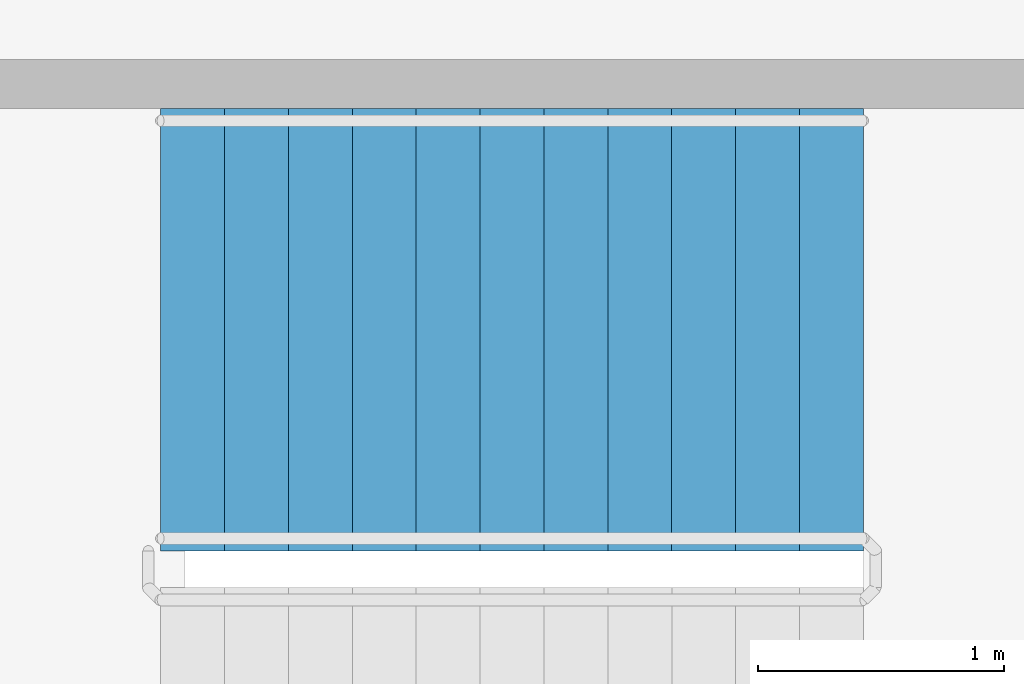
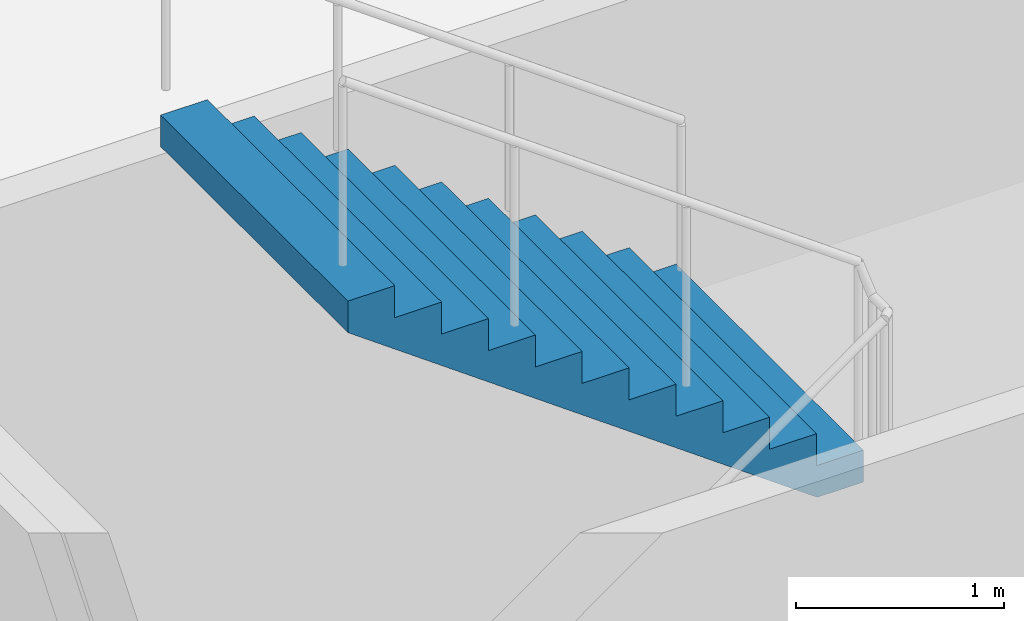
# One storey, part 37 of 49: 1 stair flight, 1 element without a shape of its own.
"""IFC4 building model written with IfcOpenShell, lengths in metres."""

from ifc_helpers import new_model, si_unit, direction, frame, origin, place, context, subcontext, project, spatial, faceted_brep, material, type_object, element, aggregate, save


model = new_model("IFC4")

# Units and contexts
model_context = context("Model", 3, precision=1e-05, world=origin(), true_north=direction((0.0, 1.0)))
body_context = subcontext(model_context, "Body", "Model", "MODEL_VIEW")
ifc_project = project(units=[si_unit("LENGTHUNIT", "METRE"), si_unit("AREAUNIT", "SQUARE_METRE"), si_unit("VOLUMEUNIT", "CUBIC_METRE"), si_unit("PLANEANGLEUNIT", "RADIAN"), si_unit("MASSUNIT", "GRAM", prefix="KILO")], contexts=[model_context])

# Site, building, storey
site_placement = place(None, origin())
site = spatial("IfcSite", under=ifc_project, at=site_placement, CompositionType="ELEMENT")
building_placement = place(site_placement, origin())
building = spatial("IfcBuilding", under=site, at=building_placement, Name="Ipe Terrace Towers", CompositionType="ELEMENT")
storey_placement = place(building_placement, frame((0.0, 0.0, 11.0)))
storey = spatial("IfcBuildingStorey", under=building, at=storey_placement, Name="L02", CompositionType="ELEMENT", Elevation=11.0)

# Stair, stair flight
ifc_material_1 = material(Name="Concrete C30/37", Category="concrete")
stair_type = type_object("IfcStairType", Name="Protected exit stair", PredefinedType="HALF_TURN_STAIR", material=ifc_material_1)
stair_placement = place(storey_placement, origin())
stair = element("IfcStair", 1, at=stair_placement, inside=storey, type_object=stair_type, Name="L02 Podium exit stair PS6", PredefinedType="HALF_TURN_STAIR")
ifc_material_2 = material(Name="Concrete C30/37", Category="concrete")
stair_flight_type = type_object("IfcStairFlightType", Name="Exit stair flight 1800", PredefinedType="STRAIGHT", material=ifc_material_2)
stair_flight_placement = place(storey_placement, frame((52.6298828125, -20.550048828125, 2.25), z_axis=(0.0, 0.0, 1.0), x_axis=(-1.0, 0.0, 0.0)))
stair_flight = element("IfcStairFlight", 2, at=stair_flight_placement, type_object=stair_flight_type, Name="PS6 flight 2", NumberOfRisers=12, NumberOfTreads=11, PredefinedType="STRAIGHT", RiserHeight=0.1875, TreadLength=0.26, context=body_context, shape_type="Brep", body=[
    faceted_brep([(0.25634765625, -0.89990234375, 0.0), (2.860107421875, -0.89990234375, 1.877685546875), (2.860107421875, -0.89990234375, 2.0625), (2.60009765625, -0.89990234375, 2.0625), (2.60009765625, -0.89990234375, 1.875), (2.340087890625, -0.89990234375, 1.875), (2.340087890625, -0.89990234375, 1.6875), (2.080078125, -0.89990234375, 1.6875), (2.080078125, -0.89990234375, 1.5), (1.820068359375, -0.89990234375, 1.5), (1.820068359375, -0.89990234375, 1.3125), (1.56005859375, -0.89990234375, 1.3125), (1.56005859375, -0.89990234375, 1.125), (1.300048828125, -0.89990234375, 1.125), (1.300048828125, -0.89990234375, 0.9375), (1.0400390625, -0.89990234375, 0.9375), (1.0400390625, -0.89990234375, 0.75), (0.780029296875, -0.89990234375, 0.75), (0.780029296875, -0.89990234375, 0.5625), (0.52001953125, -0.89990234375, 0.5625), (0.52001953125, -0.89990234375, 0.375), (0.260009765625, -0.89990234375, 0.375), (0.260009765625, -0.89990234375, 0.1875), (0.0, -0.89990234375, 0.1875), (0.0, -0.89990234375, 0.0), (0.0, 0.89990234375, 0.0), (0.0, 0.89990234375, 0.1875), (0.260009765625, 0.89990234375, 0.1875), (0.260009765625, 0.89990234375, 0.375), (0.52001953125, 0.89990234375, 0.375), (0.52001953125, 0.89990234375, 0.5625), (0.780029296875, 0.89990234375, 0.5625), (0.780029296875, 0.89990234375, 0.75), (1.0400390625, 0.89990234375, 0.75), (1.0400390625, 0.89990234375, 0.9375), (1.300048828125, 0.89990234375, 0.9375), (1.300048828125, 0.89990234375, 1.125), (1.56005859375, 0.89990234375, 1.125), (1.56005859375, 0.89990234375, 1.3125), (1.820068359375, 0.89990234375, 1.3125), (1.820068359375, 0.89990234375, 1.5), (2.080078125, 0.89990234375, 1.5), (2.080078125, 0.89990234375, 1.6875), (2.340087890625, 0.89990234375, 1.6875), (2.340087890625, 0.89990234375, 1.875), (2.60009765625, 0.89990234375, 1.875), (2.60009765625, 0.89990234375, 2.0625), (2.860107421875, 0.89990234375, 2.0625), (2.860107421875, 0.89990234375, 1.877685546875), (0.25634765625, 0.89990234375, 0.0), (0.0, -0.300048828125, 0.1875), (0.0, -0.1201171875, 0.1875), (0.0, -0.06005859375, 0.1875), (0.0, -0.030029296875, 0.1875), (0.0, -0.010009765625, 0.1875), (0.0, 0.0, 0.1875), (0.0, 0.010009765625, 0.1875), (0.0, 0.030029296875, 0.1875), (0.0, 0.06005859375, 0.1875), (0.0, 0.1201171875, 0.1875), (0.0, 0.300048828125, 0.1875), (0.0, 0.300048828125, 0.0), (0.0, 0.1201171875, 0.0), (0.0, 0.06005859375, 0.0), (0.0, 0.030029296875, 0.0), (0.0, 0.010009765625, 0.0), (0.0, 0.0, 0.0), (0.0, -0.010009765625, 0.0), (0.0, -0.030029296875, 0.0), (0.0, -0.06005859375, 0.0), (0.0, -0.1201171875, 0.0), (0.0, -0.300048828125, 0.0), (0.260009765625, -0.300048828125, 0.1875), (0.260009765625, -0.1201171875, 0.1875), (0.260009765625, -0.06005859375, 0.1875), (0.260009765625, -0.030029296875, 0.1875), (0.260009765625, -0.010009765625, 0.1875), (0.260009765625, 0.0, 0.1875), (0.260009765625, 0.010009765625, 0.1875), (0.260009765625, 0.030029296875, 0.1875), (0.260009765625, 0.06005859375, 0.1875), (0.260009765625, 0.1201171875, 0.1875), (0.260009765625, 0.300048828125, 0.1875), (0.260009765625, -0.300048828125, 0.375), (0.260009765625, -0.1201171875, 0.375), (0.260009765625, -0.06005859375, 0.375), (0.260009765625, -0.030029296875, 0.375), (0.260009765625, -0.010009765625, 0.375), (0.260009765625, 0.0, 0.375), (0.260009765625, 0.010009765625, 0.375), (0.260009765625, 0.030029296875, 0.375), (0.260009765625, 0.06005859375, 0.375), (0.260009765625, 0.1201171875, 0.375), (0.260009765625, 0.300048828125, 0.375), (0.52001953125, -0.300048828125, 0.375), (0.52001953125, -0.1201171875, 0.375), (0.52001953125, -0.06005859375, 0.375), (0.52001953125, -0.030029296875, 0.375), (0.52001953125, -0.010009765625, 0.375), (0.52001953125, 0.0, 0.375), (0.52001953125, 0.010009765625, 0.375), (0.52001953125, 0.030029296875, 0.375), (0.52001953125, 0.06005859375, 0.375), (0.52001953125, 0.1201171875, 0.375), (0.52001953125, 0.300048828125, 0.375), (0.52001953125, -0.300048828125, 0.5625), (0.52001953125, -0.1201171875, 0.5625), (0.52001953125, -0.06005859375, 0.5625), (0.52001953125, -0.030029296875, 0.5625), (0.52001953125, -0.010009765625, 0.5625), (0.52001953125, 0.0, 0.5625), (0.52001953125, 0.010009765625, 0.5625), (0.52001953125, 0.030029296875, 0.5625), (0.52001953125, 0.06005859375, 0.5625), (0.52001953125, 0.1201171875, 0.5625), (0.52001953125, 0.300048828125, 0.5625), (0.780029296875, -0.300048828125, 0.5625), (0.780029296875, -0.1201171875, 0.5625), (0.780029296875, -0.06005859375, 0.5625), (0.780029296875, -0.030029296875, 0.5625), (0.780029296875, -0.010009765625, 0.5625), (0.780029296875, 0.0, 0.5625), (0.780029296875, 0.010009765625, 0.5625), (0.780029296875, 0.030029296875, 0.5625), (0.780029296875, 0.06005859375, 0.5625), (0.780029296875, 0.1201171875, 0.5625), (0.780029296875, 0.300048828125, 0.5625), (0.780029296875, -0.300048828125, 0.75), (0.780029296875, -0.1201171875, 0.75), (0.780029296875, -0.06005859375, 0.75), (0.780029296875, -0.030029296875, 0.75), (0.780029296875, -0.010009765625, 0.75), (0.780029296875, 0.0, 0.75), (0.780029296875, 0.010009765625, 0.75), (0.780029296875, 0.030029296875, 0.75), (0.780029296875, 0.06005859375, 0.75), (0.780029296875, 0.1201171875, 0.75), (0.780029296875, 0.300048828125, 0.75), (1.0400390625, -0.300048828125, 0.75), (1.0400390625, -0.1201171875, 0.75), (1.0400390625, -0.06005859375, 0.75), (1.0400390625, -0.030029296875, 0.75), (1.0400390625, -0.010009765625, 0.75), (1.0400390625, 0.0, 0.75), (1.0400390625, 0.010009765625, 0.75), (1.0400390625, 0.030029296875, 0.75), (1.0400390625, 0.06005859375, 0.75), (1.0400390625, 0.1201171875, 0.75), (1.0400390625, 0.300048828125, 0.75), (1.0400390625, -0.300048828125, 0.9375), (1.0400390625, -0.1201171875, 0.9375), (1.0400390625, -0.06005859375, 0.9375), (1.0400390625, -0.030029296875, 0.9375), (1.0400390625, -0.010009765625, 0.9375), (1.0400390625, 0.0, 0.9375), (1.0400390625, 0.010009765625, 0.9375), (1.0400390625, 0.030029296875, 0.9375), (1.0400390625, 0.06005859375, 0.9375), (1.0400390625, 0.1201171875, 0.9375), (1.0400390625, 0.300048828125, 0.9375), (1.300048828125, -0.300048828125, 0.9375), (1.300048828125, -0.1201171875, 0.9375), (1.300048828125, -0.06005859375, 0.9375), (1.300048828125, -0.030029296875, 0.9375), (1.300048828125, -0.010009765625, 0.9375), (1.300048828125, 0.0, 0.9375), (1.300048828125, 0.010009765625, 0.9375), (1.300048828125, 0.030029296875, 0.9375), (1.300048828125, 0.06005859375, 0.9375), (1.300048828125, 0.1201171875, 0.9375), (1.300048828125, 0.300048828125, 0.9375), (1.300048828125, -0.300048828125, 1.125), (1.300048828125, -0.1201171875, 1.125), (1.300048828125, -0.06005859375, 1.125), (1.300048828125, -0.030029296875, 1.125), (1.300048828125, -0.010009765625, 1.125), (1.300048828125, 0.0, 1.125), (1.300048828125, 0.010009765625, 1.125), (1.300048828125, 0.030029296875, 1.125), (1.300048828125, 0.06005859375, 1.125), (1.300048828125, 0.1201171875, 1.125), (1.300048828125, 0.300048828125, 1.125), (1.56005859375, -0.300048828125, 1.125), (1.56005859375, -0.1201171875, 1.125), (1.56005859375, -0.06005859375, 1.125), (1.56005859375, -0.030029296875, 1.125), (1.56005859375, -0.010009765625, 1.125), (1.56005859375, 0.0, 1.125), (1.56005859375, 0.010009765625, 1.125), (1.56005859375, 0.030029296875, 1.125), (1.56005859375, 0.06005859375, 1.125), (1.56005859375, 0.1201171875, 1.125), (1.56005859375, 0.300048828125, 1.125), (1.56005859375, -0.300048828125, 1.3125), (1.56005859375, -0.1201171875, 1.3125), (1.56005859375, -0.06005859375, 1.3125), (1.56005859375, -0.030029296875, 1.3125), (1.56005859375, -0.010009765625, 1.3125), (1.56005859375, 0.0, 1.3125), (1.56005859375, 0.010009765625, 1.3125), (1.56005859375, 0.030029296875, 1.3125), (1.56005859375, 0.06005859375, 1.3125), (1.56005859375, 0.1201171875, 1.3125), (1.56005859375, 0.300048828125, 1.3125), (1.820068359375, -0.300048828125, 1.3125), (1.820068359375, -0.1201171875, 1.3125), (1.820068359375, -0.06005859375, 1.3125), (1.820068359375, -0.030029296875, 1.3125), (1.820068359375, -0.010009765625, 1.3125), (1.820068359375, 0.0, 1.3125), (1.820068359375, 0.010009765625, 1.3125), (1.820068359375, 0.030029296875, 1.3125), (1.820068359375, 0.06005859375, 1.3125), (1.820068359375, 0.1201171875, 1.3125), (1.820068359375, 0.300048828125, 1.3125), (1.820068359375, -0.300048828125, 1.5), (1.820068359375, -0.1201171875, 1.5), (1.820068359375, -0.06005859375, 1.5), (1.820068359375, -0.030029296875, 1.5), (1.820068359375, -0.010009765625, 1.5), (1.820068359375, 0.0, 1.5), (1.820068359375, 0.010009765625, 1.5), (1.820068359375, 0.030029296875, 1.5), (1.820068359375, 0.06005859375, 1.5), (1.820068359375, 0.1201171875, 1.5), (1.820068359375, 0.300048828125, 1.5), (2.080078125, -0.300048828125, 1.5), (2.080078125, -0.1201171875, 1.5), (2.080078125, -0.06005859375, 1.5), (2.080078125, -0.030029296875, 1.5), (2.080078125, -0.010009765625, 1.5), (2.080078125, 0.0, 1.5), (2.080078125, 0.010009765625, 1.5), (2.080078125, 0.030029296875, 1.5), (2.080078125, 0.06005859375, 1.5), (2.080078125, 0.1201171875, 1.5), (2.080078125, 0.300048828125, 1.5), (2.080078125, -0.300048828125, 1.6875), (2.080078125, -0.1201171875, 1.6875), (2.080078125, -0.06005859375, 1.6875), (2.080078125, -0.030029296875, 1.6875), (2.080078125, -0.010009765625, 1.6875), (2.080078125, 0.0, 1.6875), (2.080078125, 0.010009765625, 1.6875), (2.080078125, 0.030029296875, 1.6875), (2.080078125, 0.06005859375, 1.6875), (2.080078125, 0.1201171875, 1.6875), (2.080078125, 0.300048828125, 1.6875), (2.340087890625, -0.300048828125, 1.6875), (2.340087890625, -0.1201171875, 1.6875), (2.340087890625, -0.06005859375, 1.6875), (2.340087890625, -0.030029296875, 1.6875), (2.340087890625, -0.010009765625, 1.6875), (2.340087890625, 0.0, 1.6875), (2.340087890625, 0.010009765625, 1.6875), (2.340087890625, 0.030029296875, 1.6875), (2.340087890625, 0.06005859375, 1.6875), (2.340087890625, 0.1201171875, 1.6875), (2.340087890625, 0.300048828125, 1.6875), (2.340087890625, -0.300048828125, 1.875), (2.340087890625, -0.1201171875, 1.875), (2.340087890625, -0.06005859375, 1.875), (2.340087890625, -0.030029296875, 1.875), (2.340087890625, -0.010009765625, 1.875), (2.340087890625, 0.0, 1.875), (2.340087890625, 0.010009765625, 1.875), (2.340087890625, 0.030029296875, 1.875), (2.340087890625, 0.06005859375, 1.875), (2.340087890625, 0.1201171875, 1.875), (2.340087890625, 0.300048828125, 1.875), (2.60009765625, -0.300048828125, 1.875), (2.60009765625, -0.1201171875, 1.875), (2.60009765625, -0.06005859375, 1.875), (2.60009765625, -0.030029296875, 1.875), (2.60009765625, -0.010009765625, 1.875), (2.60009765625, 0.0, 1.875), (2.60009765625, 0.010009765625, 1.875), (2.60009765625, 0.030029296875, 1.875), (2.60009765625, 0.06005859375, 1.875), (2.60009765625, 0.1201171875, 1.875), (2.60009765625, 0.300048828125, 1.875), (2.60009765625, -0.300048828125, 2.0625), (2.60009765625, -0.1201171875, 2.0625), (2.60009765625, -0.06005859375, 2.0625), (2.60009765625, -0.030029296875, 2.0625), (2.60009765625, -0.010009765625, 2.0625), (2.60009765625, 0.0, 2.0625), (2.60009765625, 0.010009765625, 2.0625), (2.60009765625, 0.030029296875, 2.0625), (2.60009765625, 0.06005859375, 2.0625), (2.60009765625, 0.1201171875, 2.0625), (2.60009765625, 0.300048828125, 2.0625), (2.860107421875, -0.300048828125, 2.0625), (2.860107421875, -0.1201171875, 2.0625), (2.860107421875, -0.06005859375, 2.0625), (2.860107421875, -0.030029296875, 2.0625), (2.860107421875, -0.010009765625, 2.0625), (2.860107421875, 0.0, 2.0625), (2.860107421875, 0.010009765625, 2.0625), (2.860107421875, 0.030029296875, 2.0625), (2.860107421875, 0.06005859375, 2.0625), (2.860107421875, 0.1201171875, 2.0625), (2.860107421875, 0.300048828125, 2.0625), (2.860107421875, -0.300048828125, 1.877685546875), (2.860107421875, -0.1201171875, 1.877685546875), (2.860107421875, -0.06005859375, 1.877685546875), (2.860107421875, -0.030029296875, 1.877685546875), (2.860107421875, -0.010009765625, 1.877685546875), (2.860107421875, 0.0, 1.877685546875), (2.860107421875, 0.010009765625, 1.877685546875), (2.860107421875, 0.030029296875, 1.877685546875), (2.860107421875, 0.06005859375, 1.877685546875), (2.860107421875, 0.1201171875, 1.877685546875), (2.860107421875, 0.300048828125, 1.877685546875), (0.25634765625, -0.300048828125, 0.0), (0.25634765625, -0.1201171875, 0.0), (0.25634765625, -0.06005859375, 0.0), (0.25634765625, -0.030029296875, 0.0), (0.25634765625, -0.010009765625, 0.0), (0.25634765625, 0.0, 0.0), (0.25634765625, 0.010009765625, 0.0), (0.25634765625, 0.030029296875, 0.0), (0.25634765625, 0.06005859375, 0.0), (0.25634765625, 0.1201171875, 0.0), (0.25634765625, 0.300048828125, 0.0)], [[[0, 1, 2, 3, 4, 5, 6, 7, 8, 9, 10, 11, 12, 13, 14, 15, 16, 17, 18, 19, 20, 21, 22, 23, 24]], [[25, 26, 27, 28, 29, 30, 31, 32, 33, 34, 35, 36, 37, 38, 39, 40, 41, 42, 43, 44, 45, 46, 47, 48, 49]], [[23, 50, 51, 52, 53, 54, 55, 56, 57, 58, 59, 60, 26, 25, 61, 62, 63, 64, 65, 66, 67, 68, 69, 70, 71, 24]], [[22, 72, 73, 74, 75, 76, 77, 78, 79, 80, 81, 82, 27, 26, 60, 59, 58, 57, 56, 55, 54, 53, 52, 51, 50, 23]], [[21, 83, 84, 85, 86, 87, 88, 89, 90, 91, 92, 93, 28, 27, 82, 81, 80, 79, 78, 77, 76, 75, 74, 73, 72, 22]], [[20, 94, 95, 96, 97, 98, 99, 100, 101, 102, 103, 104, 29, 28, 93, 92, 91, 90, 89, 88, 87, 86, 85, 84, 83, 21]], [[19, 105, 106, 107, 108, 109, 110, 111, 112, 113, 114, 115, 30, 29, 104, 103, 102, 101, 100, 99, 98, 97, 96, 95, 94, 20]], [[18, 116, 117, 118, 119, 120, 121, 122, 123, 124, 125, 126, 31, 30, 115, 114, 113, 112, 111, 110, 109, 108, 107, 106, 105, 19]], [[17, 127, 128, 129, 130, 131, 132, 133, 134, 135, 136, 137, 32, 31, 126, 125, 124, 123, 122, 121, 120, 119, 118, 117, 116, 18]], [[16, 138, 139, 140, 141, 142, 143, 144, 145, 146, 147, 148, 33, 32, 137, 136, 135, 134, 133, 132, 131, 130, 129, 128, 127, 17]], [[15, 149, 150, 151, 152, 153, 154, 155, 156, 157, 158, 159, 34, 33, 148, 147, 146, 145, 144, 143, 142, 141, 140, 139, 138, 16]], [[14, 160, 161, 162, 163, 164, 165, 166, 167, 168, 169, 170, 35, 34, 159, 158, 157, 156, 155, 154, 153, 152, 151, 150, 149, 15]], [[13, 171, 172, 173, 174, 175, 176, 177, 178, 179, 180, 181, 36, 35, 170, 169, 168, 167, 166, 165, 164, 163, 162, 161, 160, 14]], [[12, 182, 183, 184, 185, 186, 187, 188, 189, 190, 191, 192, 37, 36, 181, 180, 179, 178, 177, 176, 175, 174, 173, 172, 171, 13]], [[11, 193, 194, 195, 196, 197, 198, 199, 200, 201, 202, 203, 38, 37, 192, 191, 190, 189, 188, 187, 186, 185, 184, 183, 182, 12]], [[10, 204, 205, 206, 207, 208, 209, 210, 211, 212, 213, 214, 39, 38, 203, 202, 201, 200, 199, 198, 197, 196, 195, 194, 193, 11]], [[9, 215, 216, 217, 218, 219, 220, 221, 222, 223, 224, 225, 40, 39, 214, 213, 212, 211, 210, 209, 208, 207, 206, 205, 204, 10]], [[8, 226, 227, 228, 229, 230, 231, 232, 233, 234, 235, 236, 41, 40, 225, 224, 223, 222, 221, 220, 219, 218, 217, 216, 215, 9]], [[7, 237, 238, 239, 240, 241, 242, 243, 244, 245, 246, 247, 42, 41, 236, 235, 234, 233, 232, 231, 230, 229, 228, 227, 226, 8]], [[6, 248, 249, 250, 251, 252, 253, 254, 255, 256, 257, 258, 43, 42, 247, 246, 245, 244, 243, 242, 241, 240, 239, 238, 237, 7]], [[5, 259, 260, 261, 262, 263, 264, 265, 266, 267, 268, 269, 44, 43, 258, 257, 256, 255, 254, 253, 252, 251, 250, 249, 248, 6]], [[4, 270, 271, 272, 273, 274, 275, 276, 277, 278, 279, 280, 45, 44, 269, 268, 267, 266, 265, 264, 263, 262, 261, 260, 259, 5]], [[3, 281, 282, 283, 284, 285, 286, 287, 288, 289, 290, 291, 46, 45, 280, 279, 278, 277, 276, 275, 274, 273, 272, 271, 270, 4]], [[2, 292, 293, 294, 295, 296, 297, 298, 299, 300, 301, 302, 47, 46, 291, 290, 289, 288, 287, 286, 285, 284, 283, 282, 281, 3]], [[1, 303, 304, 305, 306, 307, 308, 309, 310, 311, 312, 313, 48, 47, 302, 301, 300, 299, 298, 297, 296, 295, 294, 293, 292, 2]], [[0, 314, 315, 316, 317, 318, 319, 320, 321, 322, 323, 324, 49, 48, 313, 312, 311, 310, 309, 308, 307, 306, 305, 304, 303, 1]], [[24, 71, 70, 69, 68, 67, 66, 65, 64, 63, 62, 61, 25, 49, 324, 323, 322, 321, 320, 319, 318, 317, 316, 315, 314, 0]]]),
])
aggregate(stair, [stair_flight])

save(model, "model.ifc")
